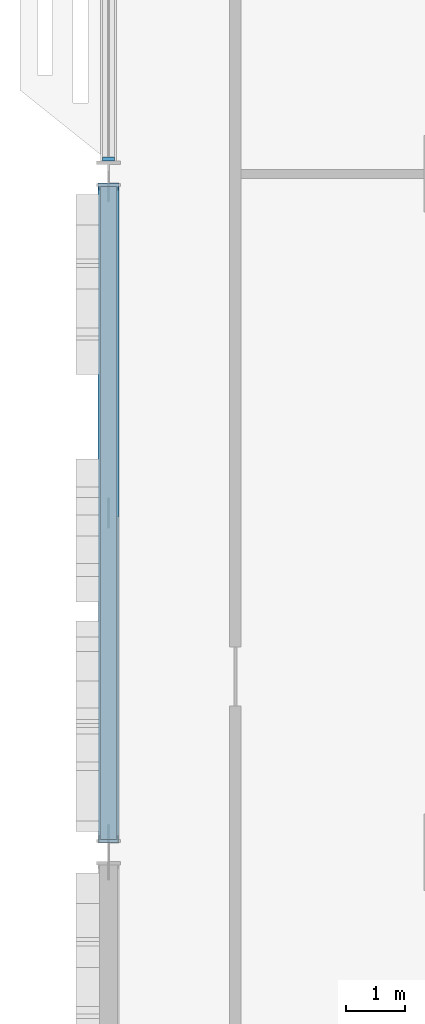
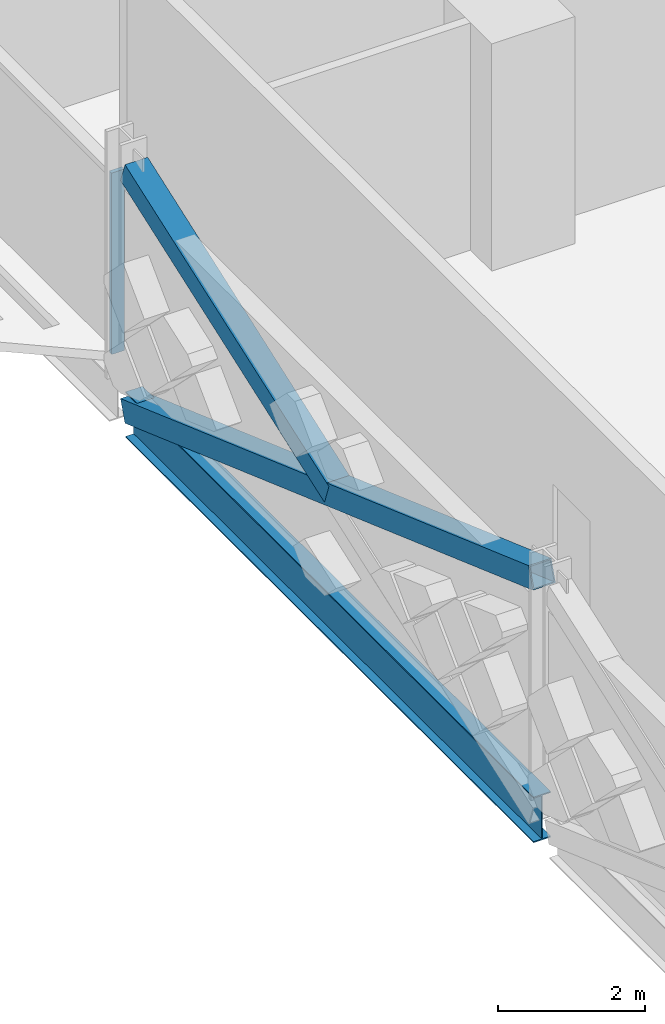
# One storey, part 4 of 28: 3 members, 1 beam, 1 element without a shape of its own.
"""IFC4 building model written with IfcOpenShell, lengths in metres."""

from ifc_helpers import new_model, si_unit, direction, frame, origin, origin_2d, place, context, subcontext, project, spatial, rectangle, hollow_rectangle, i_section, extrude, material, material_profile, profile_set, type_object, element, aggregate, save


model = new_model("IFC4")

# Units and contexts
model_context = context("Model", 3, precision=1e-05, world=origin(), true_north=direction((0.0, 1.0)))
body_context = subcontext(model_context, "Body", "Model", "MODEL_VIEW")
ifc_project = project(units=[si_unit("LENGTHUNIT", "METRE"), si_unit("AREAUNIT", "SQUARE_METRE"), si_unit("VOLUMEUNIT", "CUBIC_METRE"), si_unit("PLANEANGLEUNIT", "RADIAN"), si_unit("MASSUNIT", "GRAM", prefix="KILO")], contexts=[model_context])

# Site, building, storey
site_placement = place(None, origin())
site = spatial("IfcSite", under=ifc_project, at=site_placement, CompositionType="ELEMENT")
building_placement = place(site_placement, origin())
building = spatial("IfcBuilding", under=site, at=building_placement, Name="Mahtab Terrace Research Tower", CompositionType="ELEMENT")
storey_placement = place(building_placement, frame((0.0, 0.0, 130.199951171875)))
storey = spatial("IfcBuildingStorey", under=building, at=storey_placement, Name="L30", CompositionType="ELEMENT", Elevation=130.199951171875)

# Members
ifc_material_1 = material(Name="Steel ASTM A500 Gr C", Category="steel")
ifc_material_profile_1 = material_profile(ifc_material_1, hollow_rectangle(XDim=0.355712890625, YDim=0.355712890625, WallThickness=0.01904296875, at=origin_2d()), Name="HSS14X14X3/4")
ifc_profile_set_1 = profile_set([ifc_material_profile_1], Name="Steel ASTM A500 Gr C")
member_type_1 = type_object("IfcMemberType", Name="HSS 14x14x3/4 brace XB141434", PredefinedType="BRACE", material=ifc_profile_set_1)
member_1_placement = place(storey_placement, frame((-48.0, 11.282958984375, -0.640869140625), z_axis=(0.0, -0.941931707836, 0.335804493379), x_axis=(1.0, 0.0, 0.0)))
element("IfcMember", 1, at=member_1_placement, inside=storey, type_object=member_type_1, Name="Exoskeleton brace L30 11 a", PredefinedType="BRACE", context=body_context, shape_type="SweptSolid", body=[
    extrude(hollow_rectangle(XDim=0.355712890625, YDim=0.355712890625, WallThickness=0.01904296875, at=origin_2d()), origin(), (0.0, 0.0, 1.0), 11.748046875),
])
member_2_placement = place(storey_placement, frame((-48.0, 5.75, 1.33154296875), z_axis=(0.0, 0.941925134484, 0.335822931061), x_axis=(-1.0, 0.0, 0.0)))
element("IfcMember", 2, at=member_2_placement, inside=storey, type_object=member_type_1, Name="Exoskeleton brace L30 11 b2", PredefinedType="BRACE", context=body_context, shape_type="SweptSolid", body=[
    extrude(hollow_rectangle(XDim=0.355712890625, YDim=0.355712890625, WallThickness=0.01904296875, at=origin_2d()), origin(), (0.0, 0.0, 1.0), 5.8740234375),
])

# Curtain wall, member
ifc_material_2 = material(Name="Laboratory ribbon curtain wall")
curtain_wall_type = type_object("IfcCurtainWallType", Name="Laboratory ribbon curtain wall", PredefinedType="NOTDEFINED", material=ifc_material_2)
curtain_wall_placement = place(storey_placement, origin())
curtain_wall = element("IfcCurtainWall", 3, at=curtain_wall_placement, inside=storey, type_object=curtain_wall_type, Name="EN.L30.8.16", PredefinedType="NOTDEFINED")
ifc_material_3 = material(Name="Natural anodised aluminium", Category="aluminium")
ifc_material_profile_2 = material_profile(ifc_material_3, rectangle(XDim=0.199951171875, YDim=0.06494140625, at=origin_2d()), Name="MULLION 65x200")
ifc_profile_set_2 = profile_set([ifc_material_profile_2], Name="Natural anodised aluminium")
member_type_2 = type_object("IfcMemberType", Name="Laboratory ribbon curtain wall mullion", PredefinedType="MULLION", material=ifc_profile_set_2)
member_3_placement = place(storey_placement, frame((-48.0, 11.75048828125, 0.0), z_axis=(0.0, 0.0, 1.0), x_axis=(1.0, 0.0, 0.0)))
member_3 = element("IfcMember", 4, at=member_3_placement, type_object=member_type_2, Name="CWL-4 mullion 2", PredefinedType="MULLION", context=body_context, shape_type="SweptSolid", body=[
    extrude(rectangle(XDim=0.199951171875, YDim=0.06494140625, at=origin_2d()), origin(), (0.0, 0.0, 1.0), 3.003173828125),
])
aggregate(curtain_wall, [member_3])

# Beam
ifc_material_4 = material(Name="Steel ASTM A992 Gr 50", Category="steel")
ifc_material_profile_3 = material_profile(ifc_material_4, i_section(OverallWidth=0.2666015625, OverallDepth=0.7568359375, WebThickness=0.013916015625, FlangeThickness=0.019287109375, at=origin_2d()), Name="W30X108")
ifc_profile_set_3 = profile_set([ifc_material_profile_3], Name="Steel ASTM A992 Gr 50")
beam_type = type_object("IfcBeamType", Name="W30x108 beam BS30108", PredefinedType="BEAM", material=ifc_profile_set_3)
beam_placement = place(storey_placement, frame((-48.0, 11.282958984375, -0.718505859375), z_axis=(0.0, -1.0, 0.0), x_axis=(1.0, 0.0, 0.0)))
element("IfcBeam", 5, at=beam_placement, inside=storey, type_object=beam_type, Name="Spandrel beam L30 11", PredefinedType="BEAM", context=body_context, shape_type="SweptSolid", body=[
    extrude(i_section(OverallWidth=0.2666015625, OverallDepth=0.7568359375, WebThickness=0.013916015625, FlangeThickness=0.019287109375, at=origin_2d()), origin(), (0.0, 0.0, 1.0), 11.06591796875),
])

save(model, "model.ifc")
